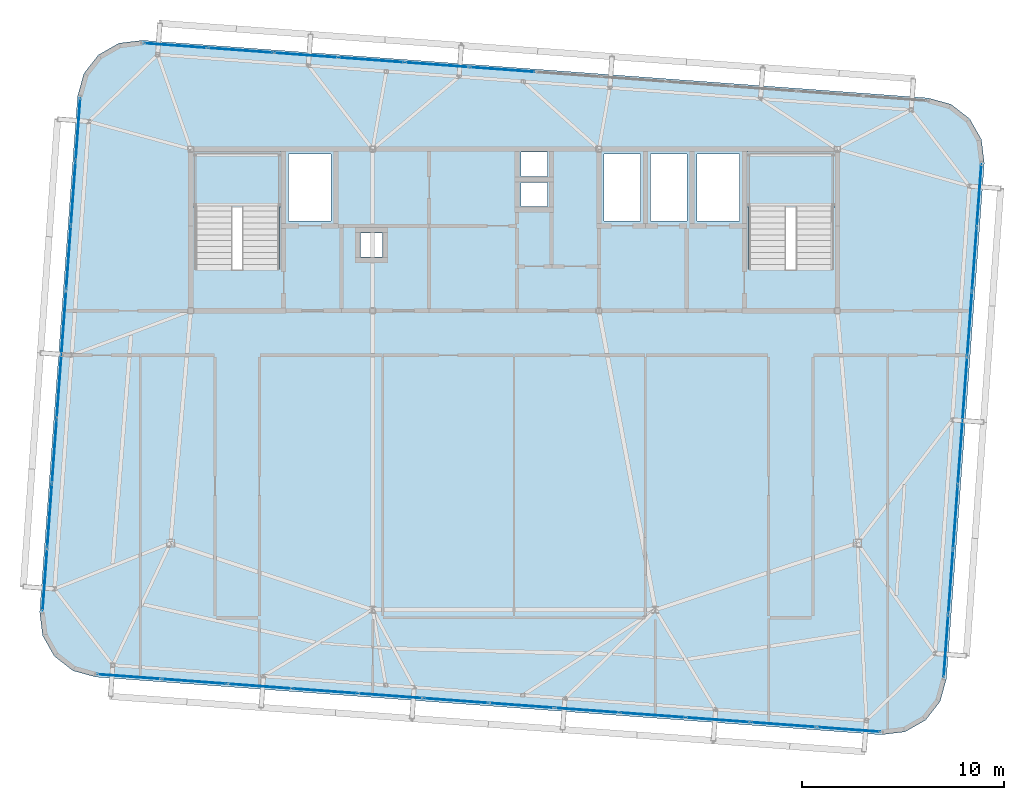
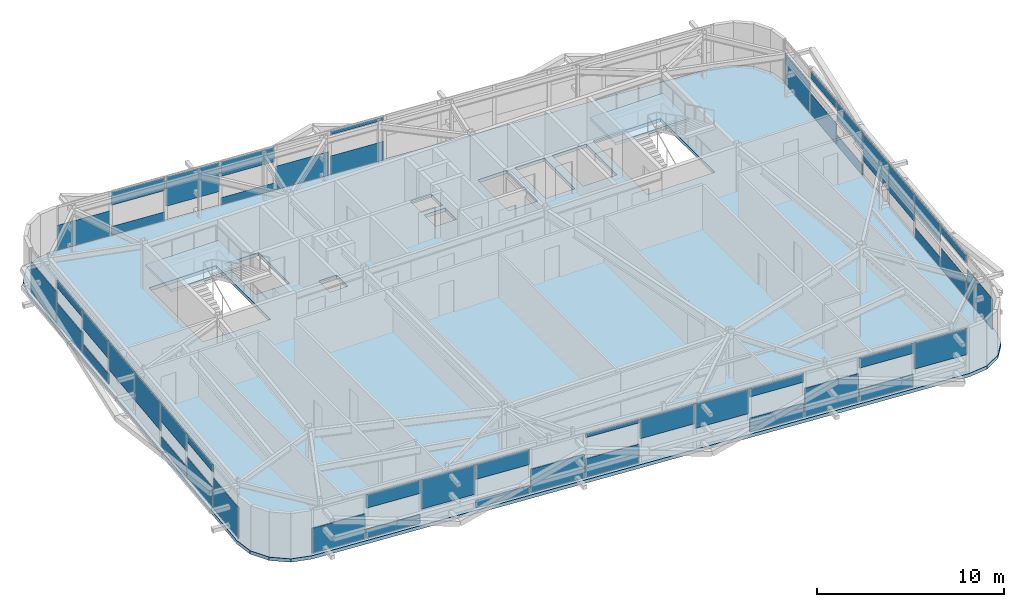
# One storey, part 29 of 42: 50 plates, 3 slabs, 6 elements without a shape of their own.
"""IFC4 building model written with IfcOpenShell, lengths in metres."""

from ifc_helpers import new_model, si_unit, direction, frame, origin, origin_2d, place, context, subcontext, project, spatial, polyline, rectangle, outline, extrude, source, transform, mapped, material, layer, layer_set, type_object, element, aggregate, save


model = new_model("IFC4")

# Units and contexts
model_context = context("Model", 3, precision=1e-05, world=origin(), true_north=direction((0.0, 1.0)))
body_context = subcontext(model_context, "Body", "Model", "MODEL_VIEW")
ifc_project = project(units=[si_unit("LENGTHUNIT", "METRE"), si_unit("AREAUNIT", "SQUARE_METRE"), si_unit("VOLUMEUNIT", "CUBIC_METRE"), si_unit("PLANEANGLEUNIT", "RADIAN"), si_unit("MASSUNIT", "GRAM", prefix="KILO")], contexts=[model_context])

# Site, building, storey
site_placement = place(None, origin())
site = spatial("IfcSite", under=ifc_project, at=site_placement, CompositionType="ELEMENT")
building_placement = place(site_placement, origin())
building = spatial("IfcBuilding", under=site, at=building_placement, Name="Taldren Reach Tower", CompositionType="ELEMENT")
storey_placement = place(building_placement, frame((0.0, 0.0, 214.550048828125)))
storey = spatial("IfcBuildingStorey", under=building, at=storey_placement, Name="L65", CompositionType="ELEMENT", Elevation=214.550048828125)

# Slab
ifc_material_1 = material(Name="Concrete N40 (40 MPa)", Category="concrete")
ifc_layer_1 = layer(ifc_material_1, 0.219970703125)
ifc_layer_set_1 = layer_set([ifc_layer_1], Name="Concrete N40 (40 MPa)")
slab_type_1 = type_object("IfcSlabType", Name="SL-FLR-220", PredefinedType="FLOOR", material=ifc_layer_set_1)
slab_1_placement = place(storey_placement, frame((0.0, 0.0, -0.219970703125)))
element("IfcSlab", 1, at=slab_1_placement, inside=storey, type_object=slab_type_1, Name="Suspended floor slab L65", PredefinedType="FLOOR", context=body_context, shape_type="SweptSolid", body=[
    extrude(outline(polyline([(53.1904296875, 3.014404296875), (54.35205078125, 3.157958984375), (55.370361328125, 3.7353515625), (56.09033203125, 4.658203125), (56.402099609375, 5.78662109375), (58.277099609375, 31.31787109375), (58.13330078125, 32.4794921875), (57.55615234375, 33.497802734375), (56.633056640625, 34.217529296875), (55.5048828125, 34.529541015625), (16.609619140625, 37.3857421875), (15.44775390625, 37.241943359375), (14.429443359375, 36.664794921875), (13.709716796875, 35.74169921875), (13.39794921875, 34.613525390625), (11.52294921875, 9.082275390625), (11.666748046875, 7.920654296875), (12.243896484375, 6.90234375), (13.1669921875, 6.182373046875), (14.295166015625, 5.87060546875), (53.1904296875, 3.014404296875)]), holes=[polyline([(19.219970703125, 26.050048828125), (23.3798828125, 26.050048828125), (23.3798828125, 31.820068359375), (19.219970703125, 31.820068359375), (19.219970703125, 26.050048828125)]), polyline([(46.6201171875, 26.050048828125), (50.780029296875, 26.050048828125), (50.780029296875, 31.820068359375), (46.6201171875, 31.820068359375), (46.6201171875, 26.050048828125)]), polyline([(23.85009765625, 28.449951171875), (25.949951171875, 28.449951171875), (25.949951171875, 31.75), (23.85009765625, 31.75), (23.85009765625, 28.449951171875)]), polyline([(44.050048828125, 28.449951171875), (46.14990234375, 28.449951171875), (46.14990234375, 31.75), (44.050048828125, 31.75), (44.050048828125, 28.449951171875)]), polyline([(39.449951171875, 28.449951171875), (41.25, 28.449951171875), (41.25, 31.75), (39.449951171875, 31.75), (39.449951171875, 28.449951171875)]), polyline([(41.75, 28.449951171875), (43.550048828125, 28.449951171875), (43.550048828125, 31.75), (41.75, 31.75), (41.75, 28.449951171875)]), polyline([(35.35009765625, 30.64990234375), (36.64990234375, 30.64990234375), (36.64990234375, 31.85009765625), (35.35009765625, 31.85009765625), (35.35009765625, 30.64990234375)]), polyline([(35.35009765625, 29.14990234375), (36.64990234375, 29.14990234375), (36.64990234375, 30.35009765625), (35.35009765625, 30.35009765625), (35.35009765625, 29.14990234375)]), polyline([(27.39990234375, 26.64990234375), (28.5, 26.64990234375), (28.5, 27.85009765625), (27.39990234375, 27.85009765625), (27.39990234375, 26.64990234375)])]), origin(), (0.0, 0.0, 1.0), 0.219970703125),
])

# Stair, slab
ifc_material_2 = material(Name="Concrete S50 (50 MPa)", Category="concrete")
stair_type = type_object("IfcStairType", Name="ST-HT-315", PredefinedType="HALF_TURN_STAIR", material=ifc_material_2)
stair_1_placement = place(storey_placement, origin())
stair_1 = element("IfcStair", 2, at=stair_1_placement, inside=storey, type_object=stair_type, Name="Fire-isolated exit stair ST1 L65", PredefinedType="HALF_TURN_STAIR")
ifc_layer_2 = layer(ifc_material_2, 0.179931640625)
ifc_layer_set_2 = layer_set([ifc_layer_2], Name="Concrete S50 (50 MPa)")
slab_type_2 = type_object("IfcSlabType", Name="SL-LAND-180", PredefinedType="LANDING", material=ifc_layer_set_2)
slab_2_placement = place(storey_placement, frame((0.0, 0.0, 1.39501953125)))
slab_2 = element("IfcSlab", 3, at=slab_2_placement, type_object=slab_type_2, Name="ST1 landing 1", PredefinedType="LANDING", context=body_context, shape_type="SweptSolid", body=[
    extrude(outline(polyline([(19.0400390625, 29.135009765625), (23.56005859375, 29.135009765625), (23.56005859375, 31.8701171875), (19.0400390625, 31.8701171875), (19.0400390625, 29.135009765625)])), origin(), (0.0, 0.0, 1.0), 0.179931640625),
])
aggregate(stair_1, [slab_2])

stair_2_placement = place(storey_placement, origin())
stair_2 = element("IfcStair", 4, at=stair_2_placement, inside=storey, type_object=stair_type, Name="Fire-isolated exit stair ST2 L65", PredefinedType="HALF_TURN_STAIR")
slab_3_placement = place(storey_placement, frame((0.0, 0.0, 1.39501953125)))
slab_3 = element("IfcSlab", 5, at=slab_3_placement, type_object=slab_type_2, Name="ST2 landing 1", PredefinedType="LANDING", context=body_context, shape_type="SweptSolid", body=[
    extrude(outline(polyline([(46.43994140625, 29.135009765625), (50.9599609375, 29.135009765625), (50.9599609375, 31.8701171875), (46.43994140625, 31.8701171875), (46.43994140625, 29.135009765625)])), origin(), (0.0, 0.0, 1.0), 0.179931640625),
])
aggregate(stair_2, [slab_3])

# Curtain wall, plate
ifc_material_3 = material(Name="Aluminium and Low-E Glass Unitised System", Category="aluminium")
ifc_layer_3 = layer(ifc_material_3, 0.159912109375)
ifc_layer_set_3 = layer_set([ifc_layer_3], Name="Aluminium and Low-E Glass Unitised System")
curtain_wall_type = type_object("IfcCurtainWallType", Name="CW-SYS-6", PredefinedType="NOTDEFINED", material=ifc_layer_set_3)
curtain_wall_1_placement = place(storey_placement, origin())
curtain_wall_1 = element("IfcCurtainWall", 6, at=curtain_wall_1_placement, inside=storey, type_object=curtain_wall_type, Name="Unitised curtain wall CW-L65-S", PredefinedType="NOTDEFINED")
ifc_material_4 = material(Name="Acoustic Triple-Laminated IGU", Category="glass")
ifc_layer_4 = layer(ifc_material_4, 0.035888671875)
ifc_layer_set_4 = layer_set([ifc_layer_4], Name="Acoustic Triple-Laminated IGU")
plate_type = type_object("IfcPlateType", Name="CW-PNL-IGU36", PredefinedType="CURTAIN_PANEL", material=ifc_layer_set_4)
shared_shape_1 = source(origin(), body_context, "Body", "SweptSolid", [
    extrude(rectangle(XDim=3.137451171875, YDim=0.035888671875, at=origin_2d()), origin(), (0.0, 0.0, 1.0), 1.63037109375),
])
plate_1_placement = place(storey_placement, frame((15.94482421875, 5.889892578125, 0.06005859375), z_axis=(0.0, 0.0, 1.0), x_axis=(0.997314476006, -0.073238213716, 0.0)))
plate_1 = element("IfcPlate", 7, at=plate_1_placement, type_object=plate_type, Name="CW-6 panel 1.1 part 1", PredefinedType="CURTAIN_PANEL", context=body_context, shape_type="MappedRepresentation", body=[
    mapped(shared_shape_1, transform((0.0, 0.0, 0.0), scale=1.0)),
])

curtain_wall_2_placement = place(storey_placement, origin())
curtain_wall_2 = element("IfcCurtainWall", 8, at=curtain_wall_2_placement, inside=storey, type_object=curtain_wall_type, Name="Unitised curtain wall CW-L65-N", PredefinedType="NOTDEFINED")
plate_2_placement = place(storey_placement, frame((18.238525390625, 37.125732421875, 0.06005859375), z_axis=(0.0, 0.0, 1.0), x_axis=(-0.997314476006, 0.073238213716, 0.0)))
plate_2 = element("IfcPlate", 9, at=plate_2_placement, type_object=plate_type, Name="CW-6 panel 12.1 part 1", PredefinedType="CURTAIN_PANEL", context=body_context, shape_type="MappedRepresentation", body=[
    mapped(shared_shape_1, transform((0.0, 0.0, 0.0), scale=1.0)),
])

# Plate
shared_shape_2 = source(origin(), body_context, "Body", "SweptSolid", [
    extrude(rectangle(XDim=3.175048828125, YDim=0.035888671875, at=origin_2d()), origin(), (0.0, 0.0, 1.0), 0.574462890625),
])
plate_3_placement = place(storey_placement, frame((19.16748046875, 5.653076171875, 0.06005859375), z_axis=(0.0, 0.0, 1.0), x_axis=(0.997314476006, -0.073238213716, 0.0)))
plate_3 = element("IfcPlate", 10, at=plate_3_placement, type_object=plate_type, Name="CW-6 panel 2.1 part 1", PredefinedType="CURTAIN_PANEL", context=body_context, shape_type="MappedRepresentation", body=[
    mapped(shared_shape_2, transform((0.0, 0.0, 0.0), scale=1.0)),
])

plate_4_placement = place(storey_placement, frame((21.461181640625, 36.88916015625, 0.06005859375), z_axis=(0.0, 0.0, 1.0), x_axis=(-0.997314476006, 0.073238213716, 0.0)))
plate_4 = element("IfcPlate", 11, at=plate_4_placement, type_object=plate_type, Name="CW-6 panel 11.1 part 1", PredefinedType="CURTAIN_PANEL", context=body_context, shape_type="MappedRepresentation", body=[
    mapped(shared_shape_2, transform((0.0, 0.0, 0.0), scale=1.0)),
])

shared_shape_3 = source(origin(), body_context, "Body", "SweptSolid", [
    extrude(rectangle(XDim=3.175048828125, YDim=0.035888671875, at=origin_2d()), origin(), (0.0, 0.0, 1.0), 0.852294921875),
])
plate_5_placement = place(storey_placement, frame((19.16748046875, 5.653076171875, 2.017578125), z_axis=(0.0, 0.0, 1.0), x_axis=(0.997314476006, -0.073238213716, 0.0)))
plate_5 = element("IfcPlate", 12, at=plate_5_placement, type_object=plate_type, Name="CW-6 panel 2.1 part 2", PredefinedType="CURTAIN_PANEL", context=body_context, shape_type="MappedRepresentation", body=[
    mapped(shared_shape_3, transform((0.0, 0.0, 0.0), scale=1.0)),
])

plate_6_placement = place(storey_placement, frame((21.461181640625, 36.88916015625, 2.017578125), z_axis=(0.0, 0.0, 1.0), x_axis=(-0.997314476006, 0.073238213716, 0.0)))
plate_6 = element("IfcPlate", 13, at=plate_6_placement, type_object=plate_type, Name="CW-6 panel 11.1 part 2", PredefinedType="CURTAIN_PANEL", context=body_context, shape_type="MappedRepresentation", body=[
    mapped(shared_shape_3, transform((0.0, 0.0, 0.0), scale=1.0)),
])

shared_shape_4 = source(origin(), body_context, "Body", "SweptSolid", [
    extrude(rectangle(XDim=3.175048828125, YDim=0.035888671875, at=origin_2d()), origin(), (0.0, 0.0, 1.0), 1.907958984375),
])
plate_7_placement = place(storey_placement, frame((22.40869140625, 5.4150390625, 0.9619140625), z_axis=(0.0, 0.0, 1.0), x_axis=(0.997314476006, -0.073238213716, 0.0)))
plate_7 = element("IfcPlate", 14, at=plate_7_placement, type_object=plate_type, Name="CW-6 panel 3.1 part 1", PredefinedType="CURTAIN_PANEL", context=body_context, shape_type="MappedRepresentation", body=[
    mapped(shared_shape_4, transform((0.0, 0.0, 0.0), scale=1.0)),
])

plate_8_placement = place(storey_placement, frame((24.702392578125, 36.651123046875, 0.9619140625), z_axis=(0.0, 0.0, 1.0), x_axis=(-0.997314476006, 0.073238213716, 0.0)))
plate_8 = element("IfcPlate", 15, at=plate_8_placement, type_object=plate_type, Name="CW-6 panel 10.1 part 1", PredefinedType="CURTAIN_PANEL", context=body_context, shape_type="MappedRepresentation", body=[
    mapped(shared_shape_4, transform((0.0, 0.0, 0.0), scale=1.0)),
])

shared_shape_5 = source(origin(), body_context, "Body", "SweptSolid", [
    extrude(rectangle(XDim=3.175048828125, YDim=0.035888671875, at=origin_2d()), origin(), (0.0, 0.0, 1.0), 0.473876953125),
])
plate_9_placement = place(storey_placement, frame((25.64990234375, 5.177001953125, 0.06005859375), z_axis=(0.0, 0.0, 1.0), x_axis=(0.997314476006, -0.073238213716, 0.0)))
plate_9 = element("IfcPlate", 16, at=plate_9_placement, type_object=plate_type, Name="CW-6 panel 4.1 part 1", PredefinedType="CURTAIN_PANEL", context=body_context, shape_type="MappedRepresentation", body=[
    mapped(shared_shape_5, transform((0.0, 0.0, 0.0), scale=1.0)),
])

plate_10_placement = place(storey_placement, frame((27.94384765625, 36.4130859375, 0.06005859375), z_axis=(0.0, 0.0, 1.0), x_axis=(-0.997314476006, 0.073238213716, 0.0)))
plate_10 = element("IfcPlate", 17, at=plate_10_placement, type_object=plate_type, Name="CW-6 panel 9.1 part 1", PredefinedType="CURTAIN_PANEL", context=body_context, shape_type="MappedRepresentation", body=[
    mapped(shared_shape_5, transform((0.0, 0.0, 0.0), scale=1.0)),
])

shared_shape_6 = source(origin(), body_context, "Body", "SweptSolid", [
    extrude(rectangle(XDim=3.175048828125, YDim=0.035888671875, at=origin_2d()), origin(), (0.0, 0.0, 1.0), 0.952880859375),
])
plate_11_placement = place(storey_placement, frame((25.64990234375, 5.177001953125, 1.9169921875), z_axis=(0.0, 0.0, 1.0), x_axis=(0.997314476006, -0.073238213716, 0.0)))
plate_11 = element("IfcPlate", 18, at=plate_11_placement, type_object=plate_type, Name="CW-6 panel 4.1 part 2", PredefinedType="CURTAIN_PANEL", context=body_context, shape_type="MappedRepresentation", body=[
    mapped(shared_shape_6, transform((0.0, 0.0, 0.0), scale=1.0)),
])

plate_12_placement = place(storey_placement, frame((27.94384765625, 36.4130859375, 1.9169921875), z_axis=(0.0, 0.0, 1.0), x_axis=(-0.997314476006, 0.073238213716, 0.0)))
plate_12 = element("IfcPlate", 19, at=plate_12_placement, type_object=plate_type, Name="CW-6 panel 9.1 part 2", PredefinedType="CURTAIN_PANEL", context=body_context, shape_type="MappedRepresentation", body=[
    mapped(shared_shape_6, transform((0.0, 0.0, 0.0), scale=1.0)),
])

shared_shape_7 = source(origin(), body_context, "Body", "SweptSolid", [
    extrude(rectangle(XDim=3.175048828125, YDim=0.035888671875, at=origin_2d()), origin(), (0.0, 0.0, 1.0), 1.52978515625),
])
plate_13_placement = place(storey_placement, frame((28.89111328125, 4.939208984375, 0.059814453125), z_axis=(0.0, 0.0, 1.0), x_axis=(0.997314476006, -0.073238213716, 0.0)))
plate_13 = element("IfcPlate", 20, at=plate_13_placement, type_object=plate_type, Name="CW-6 panel 5.1 part 1", PredefinedType="CURTAIN_PANEL", context=body_context, shape_type="MappedRepresentation", body=[
    mapped(shared_shape_7, transform((0.0, 0.0, 0.0), scale=1.0)),
])

plate_14_placement = place(storey_placement, frame((31.18505859375, 36.175048828125, 0.059814453125), z_axis=(0.0, 0.0, 1.0), x_axis=(-0.997314476006, 0.073238213716, 0.0)))
plate_14 = element("IfcPlate", 21, at=plate_14_placement, type_object=plate_type, Name="CW-6 panel 8.1 part 1", PredefinedType="CURTAIN_PANEL", context=body_context, shape_type="MappedRepresentation", body=[
    mapped(shared_shape_7, transform((0.0, 0.0, 0.0), scale=1.0)),
])

shared_shape_8 = source(origin(), body_context, "Body", "SweptSolid", [
    extrude(rectangle(XDim=3.175048828125, YDim=0.035888671875, at=origin_2d()), origin(), (0.0, 0.0, 1.0), 1.21142578125),
])
plate_15_placement = place(storey_placement, frame((32.132568359375, 4.701171875, 0.059814453125), z_axis=(0.0, 0.0, 1.0), x_axis=(0.997314476006, -0.073238213716, 0.0)))
plate_15 = element("IfcPlate", 22, at=plate_15_placement, type_object=plate_type, Name="CW-6 panel 6.1 part 1", PredefinedType="CURTAIN_PANEL", context=body_context, shape_type="MappedRepresentation", body=[
    mapped(shared_shape_8, transform((0.0, 0.0, 0.0), scale=1.0)),
])

plate_16_placement = place(storey_placement, frame((34.42626953125, 35.93701171875, 0.059814453125), z_axis=(0.0, 0.0, 1.0), x_axis=(-0.997314476006, 0.073238213716, 0.0)))
plate_16 = element("IfcPlate", 23, at=plate_16_placement, type_object=plate_type, Name="CW-6 panel 7.1 part 1", PredefinedType="CURTAIN_PANEL", context=body_context, shape_type="MappedRepresentation", body=[
    mapped(shared_shape_8, transform((0.0, 0.0, 0.0), scale=1.0)),
])

shared_shape_9 = source(origin(), body_context, "Body", "SweptSolid", [
    extrude(rectangle(XDim=3.175048828125, YDim=0.035888671875, at=origin_2d()), origin(), (0.0, 0.0, 1.0), 0.215576171875),
])
plate_17_placement = place(storey_placement, frame((32.132568359375, 4.701171875, 2.654296875), z_axis=(0.0, 0.0, 1.0), x_axis=(0.997314476006, -0.073238213716, 0.0)))
plate_17 = element("IfcPlate", 24, at=plate_17_placement, type_object=plate_type, Name="CW-6 panel 6.1 part 2", PredefinedType="CURTAIN_PANEL", context=body_context, shape_type="MappedRepresentation", body=[
    mapped(shared_shape_9, transform((0.0, 0.0, 0.0), scale=1.0)),
])

plate_18_placement = place(storey_placement, frame((34.42626953125, 35.93701171875, 2.654296875), z_axis=(0.0, 0.0, 1.0), x_axis=(-0.997314476006, 0.073238213716, 0.0)))
plate_18 = element("IfcPlate", 25, at=plate_18_placement, type_object=plate_type, Name="CW-6 panel 7.1 part 2", PredefinedType="CURTAIN_PANEL", context=body_context, shape_type="MappedRepresentation", body=[
    mapped(shared_shape_9, transform((0.0, 0.0, 0.0), scale=1.0)),
])

aggregate(curtain_wall_2, [plate_16, plate_18, plate_14, plate_10, plate_12, plate_8, plate_4, plate_6, plate_2])

shared_shape_10 = source(origin(), body_context, "Body", "SweptSolid", [
    extrude(rectangle(XDim=3.175048828125, YDim=0.035888671875, at=origin_2d()), origin(), (0.0, 0.0, 1.0), 1.271240234375),
])
plate_19_placement = place(storey_placement, frame((35.373779296875, 4.463134765625, 1.5986328125), z_axis=(0.0, 0.0, 1.0), x_axis=(0.997314476006, -0.073238213716, 0.0)))
plate_19 = element("IfcPlate", 26, at=plate_19_placement, type_object=plate_type, Name="CW-6 panel 7.1 part 1", PredefinedType="CURTAIN_PANEL", context=body_context, shape_type="MappedRepresentation", body=[
    mapped(shared_shape_10, transform((0.0, 0.0, 0.0), scale=1.0)),
])

shared_shape_11 = source(origin(), body_context, "Body", "SweptSolid", [
    extrude(rectangle(XDim=3.175048828125, YDim=0.035888671875, at=origin_2d()), origin(), (0.0, 0.0, 1.0), 1.589599609375),
])
plate_20_placement = place(storey_placement, frame((38.614990234375, 4.22509765625, 1.2802734375), z_axis=(0.0, 0.0, 1.0), x_axis=(0.997314476006, -0.073238213716, 0.0)))
plate_20 = element("IfcPlate", 27, at=plate_20_placement, type_object=plate_type, Name="CW-6 panel 8.1 part 1", PredefinedType="CURTAIN_PANEL", context=body_context, shape_type="MappedRepresentation", body=[
    mapped(shared_shape_11, transform((0.0, 0.0, 0.0), scale=1.0)),
])

shared_shape_12 = source(origin(), body_context, "Body", "SweptSolid", [
    extrude(rectangle(XDim=3.175048828125, YDim=0.035888671875, at=origin_2d()), origin(), (0.0, 0.0, 1.0), 0.89306640625),
])
plate_21_placement = place(storey_placement, frame((41.856201171875, 3.987060546875, 0.059814453125), z_axis=(0.0, 0.0, 1.0), x_axis=(0.997314476006, -0.073238213716, 0.0)))
plate_21 = element("IfcPlate", 28, at=plate_21_placement, type_object=plate_type, Name="CW-6 panel 9.1 part 1", PredefinedType="CURTAIN_PANEL", context=body_context, shape_type="MappedRepresentation", body=[
    mapped(shared_shape_12, transform((0.0, 0.0, 0.0), scale=1.0)),
])

shared_shape_13 = source(origin(), body_context, "Body", "SweptSolid", [
    extrude(rectangle(XDim=3.175048828125, YDim=0.035888671875, at=origin_2d()), origin(), (0.0, 0.0, 1.0), 0.533935546875),
])
plate_22_placement = place(storey_placement, frame((41.856201171875, 3.987060546875, 2.3359375), z_axis=(0.0, 0.0, 1.0), x_axis=(0.997314476006, -0.073238213716, 0.0)))
plate_22 = element("IfcPlate", 29, at=plate_22_placement, type_object=plate_type, Name="CW-6 panel 9.1 part 2", PredefinedType="CURTAIN_PANEL", context=body_context, shape_type="MappedRepresentation", body=[
    mapped(shared_shape_13, transform((0.0, 0.0, 0.0), scale=1.0)),
])

shared_shape_14 = source(origin(), body_context, "Body", "SweptSolid", [
    extrude(rectangle(XDim=3.175048828125, YDim=0.035888671875, at=origin_2d()), origin(), (0.0, 0.0, 1.0), 1.84814453125),
])
plate_23_placement = place(storey_placement, frame((45.09765625, 3.7490234375, 0.059814453125), z_axis=(0.0, 0.0, 1.0), x_axis=(0.997314476006, -0.073238213716, 0.0)))
plate_23 = element("IfcPlate", 30, at=plate_23_placement, type_object=plate_type, Name="CW-6 panel 10.1 part 1", PredefinedType="CURTAIN_PANEL", context=body_context, shape_type="MappedRepresentation", body=[
    mapped(shared_shape_14, transform((0.0, 0.0, 0.0), scale=1.0)),
])

shared_shape_15 = source(origin(), body_context, "Body", "SweptSolid", [
    extrude(rectangle(XDim=3.175048828125, YDim=0.035888671875, at=origin_2d()), origin(), (0.0, 0.0, 1.0), 0.792236328125),
])
plate_24_placement = place(storey_placement, frame((48.3388671875, 3.510986328125, 0.06005859375), z_axis=(0.0, 0.0, 1.0), x_axis=(0.997314476006, -0.073238213716, 0.0)))
plate_24 = element("IfcPlate", 31, at=plate_24_placement, type_object=plate_type, Name="CW-6 panel 11.1 part 1", PredefinedType="CURTAIN_PANEL", context=body_context, shape_type="MappedRepresentation", body=[
    mapped(shared_shape_15, transform((0.0, 0.0, 0.0), scale=1.0)),
])

shared_shape_16 = source(origin(), body_context, "Body", "SweptSolid", [
    extrude(rectangle(XDim=3.175048828125, YDim=0.035888671875, at=origin_2d()), origin(), (0.0, 0.0, 1.0), 0.634521484375),
])
plate_25_placement = place(storey_placement, frame((48.3388671875, 3.510986328125, 2.2353515625), z_axis=(0.0, 0.0, 1.0), x_axis=(0.997314476006, -0.073238213716, 0.0)))
plate_25 = element("IfcPlate", 32, at=plate_25_placement, type_object=plate_type, Name="CW-6 panel 11.1 part 2", PredefinedType="CURTAIN_PANEL", context=body_context, shape_type="MappedRepresentation", body=[
    mapped(shared_shape_16, transform((0.0, 0.0, 0.0), scale=1.0)),
])

shared_shape_17 = source(origin(), body_context, "Body", "SweptSolid", [
    extrude(rectangle(XDim=3.137451171875, YDim=0.035888671875, at=origin_2d()), origin(), (0.0, 0.0, 1.0), 1.6904296875),
])
plate_26_placement = place(storey_placement, frame((51.561279296875, 3.2744140625, 1.179443359375), z_axis=(0.0, 0.0, 1.0), x_axis=(0.997314476006, -0.073238213716, 0.0)))
plate_26 = element("IfcPlate", 33, at=plate_26_placement, type_object=plate_type, Name="CW-6 panel 12.1 part 1", PredefinedType="CURTAIN_PANEL", context=body_context, shape_type="MappedRepresentation", body=[
    mapped(shared_shape_17, transform((0.0, 0.0, 0.0), scale=1.0)),
])

aggregate(curtain_wall_1, [plate_1, plate_3, plate_5, plate_7, plate_9, plate_11, plate_13, plate_15, plate_17, plate_19, plate_20, plate_21, plate_22, plate_23, plate_24, plate_25, plate_26])

# Curtain wall, plates
curtain_wall_3_placement = place(storey_placement, origin())
curtain_wall_3 = element("IfcCurtainWall", 34, at=curtain_wall_3_placement, inside=storey, type_object=curtain_wall_type, Name="Unitised curtain wall CW-L65-W", PredefinedType="NOTDEFINED")
shared_shape_18 = source(origin(), body_context, "Body", "SweptSolid", [
    extrude(rectangle(XDim=3.08740234375, YDim=0.035888671875, at=origin_2d()), origin(), (0.0, 0.0, 1.0), 2.0078125),
])
plate_27_placement = place(storey_placement, frame((13.4189453125, 32.98876953125, 0.06005859375), z_axis=(0.0, 0.0, 1.0), x_axis=(-0.073238282558, -0.997314470951, 0.0)))
plate_27 = element("IfcPlate", 35, at=plate_27_placement, type_object=plate_type, Name="CW-6 panel 1.1 part 1", PredefinedType="CURTAIN_PANEL", context=body_context, shape_type="MappedRepresentation", body=[
    mapped(shared_shape_18, transform((0.0, 0.0, 0.0), scale=1.0)),
])
plate_28_placement = place(storey_placement, frame((11.78125, 10.686279296875, 0.06005859375), z_axis=(0.0, 0.0, 1.0), x_axis=(-0.073238282558, -0.997314470951, 0.0)))
plate_28 = element("IfcPlate", 36, at=plate_28_placement, type_object=plate_type, Name="CW-6 panel 8.1 part 1", PredefinedType="CURTAIN_PANEL", context=body_context, shape_type="MappedRepresentation", body=[
    mapped(shared_shape_18, transform((0.0, 0.0, 0.0), scale=1.0)),
])

curtain_wall_4_placement = place(storey_placement, origin())
curtain_wall_4 = element("IfcCurtainWall", 37, at=curtain_wall_4_placement, inside=storey, type_object=curtain_wall_type, Name="Unitised curtain wall CW-L65-E", PredefinedType="NOTDEFINED")
plate_29_placement = place(storey_placement, frame((56.381103515625, 7.4111328125, 0.06005859375), z_axis=(0.0, 0.0, 1.0), x_axis=(0.073238282558, 0.997314470951, 0.0)))
plate_29 = element("IfcPlate", 38, at=plate_29_placement, type_object=plate_type, Name="CW-6 panel 1.1 part 1", PredefinedType="CURTAIN_PANEL", context=body_context, shape_type="MappedRepresentation", body=[
    mapped(shared_shape_18, transform((0.0, 0.0, 0.0), scale=1.0)),
])
plate_30_placement = place(storey_placement, frame((58.018798828125, 29.713623046875, 0.06005859375), z_axis=(0.0, 0.0, 1.0), x_axis=(0.073238282558, 0.997314470951, 0.0)))
plate_30 = element("IfcPlate", 39, at=plate_30_placement, type_object=plate_type, Name="CW-6 panel 8.1 part 1", PredefinedType="CURTAIN_PANEL", context=body_context, shape_type="MappedRepresentation", body=[
    mapped(shared_shape_18, transform((0.0, 0.0, 0.0), scale=1.0)),
])

# Plate
shared_shape_19 = source(origin(), body_context, "Body", "SweptSolid", [
    extrude(rectangle(XDim=3.125, YDim=0.035888671875, at=origin_2d()), origin(), (0.0, 0.0, 1.0), 1.33740234375),
])
plate_31_placement = place(storey_placement, frame((13.18603515625, 29.816162109375, 0.06005859375), z_axis=(0.0, 0.0, 1.0), x_axis=(-0.073238282558, -0.997314470951, 0.0)))
plate_31 = element("IfcPlate", 40, at=plate_31_placement, type_object=plate_type, Name="CW-6 panel 2.1 part 1", PredefinedType="CURTAIN_PANEL", context=body_context, shape_type="MappedRepresentation", body=[
    mapped(shared_shape_19, transform((0.0, 0.0, 0.0), scale=1.0)),
])

plate_32_placement = place(storey_placement, frame((12.01416015625, 13.859130859375, 0.06005859375), z_axis=(0.0, 0.0, 1.0), x_axis=(-0.073238282558, -0.997314470951, 0.0)))
plate_32 = element("IfcPlate", 41, at=plate_32_placement, type_object=plate_type, Name="CW-6 panel 7.1 part 1", PredefinedType="CURTAIN_PANEL", context=body_context, shape_type="MappedRepresentation", body=[
    mapped(shared_shape_19, transform((0.0, 0.0, 0.0), scale=1.0)),
])

plate_33_placement = place(storey_placement, frame((56.614013671875, 10.583984375, 0.06005859375), z_axis=(0.0, 0.0, 1.0), x_axis=(0.073238282558, 0.997314470951, 0.0)))
plate_33 = element("IfcPlate", 42, at=plate_33_placement, type_object=plate_type, Name="CW-6 panel 2.1 part 1", PredefinedType="CURTAIN_PANEL", context=body_context, shape_type="MappedRepresentation", body=[
    mapped(shared_shape_19, transform((0.0, 0.0, 0.0), scale=1.0)),
])

plate_34_placement = place(storey_placement, frame((57.785888671875, 26.541015625, 0.06005859375), z_axis=(0.0, 0.0, 1.0), x_axis=(0.073238282558, 0.997314470951, 0.0)))
plate_34 = element("IfcPlate", 43, at=plate_34_placement, type_object=plate_type, Name="CW-6 panel 7.1 part 1", PredefinedType="CURTAIN_PANEL", context=body_context, shape_type="MappedRepresentation", body=[
    mapped(shared_shape_19, transform((0.0, 0.0, 0.0), scale=1.0)),
])

shared_shape_20 = source(origin(), body_context, "Body", "SweptSolid", [
    extrude(rectangle(XDim=3.125, YDim=0.035888671875, at=origin_2d()), origin(), (0.0, 0.0, 1.0), 0.475830078125),
])
plate_35_placement = place(storey_placement, frame((13.18603515625, 29.816162109375, 2.39404296875), z_axis=(0.0, 0.0, 1.0), x_axis=(-0.073238282558, -0.997314470951, 0.0)))
plate_35 = element("IfcPlate", 44, at=plate_35_placement, type_object=plate_type, Name="CW-6 panel 2.1 part 2", PredefinedType="CURTAIN_PANEL", context=body_context, shape_type="MappedRepresentation", body=[
    mapped(shared_shape_20, transform((0.0, 0.0, 0.0), scale=1.0)),
])

plate_36_placement = place(storey_placement, frame((12.01416015625, 13.859130859375, 2.39404296875), z_axis=(0.0, 0.0, 1.0), x_axis=(-0.073238282558, -0.997314470951, 0.0)))
plate_36 = element("IfcPlate", 45, at=plate_36_placement, type_object=plate_type, Name="CW-6 panel 7.1 part 2", PredefinedType="CURTAIN_PANEL", context=body_context, shape_type="MappedRepresentation", body=[
    mapped(shared_shape_20, transform((0.0, 0.0, 0.0), scale=1.0)),
])

plate_37_placement = place(storey_placement, frame((56.614013671875, 10.583984375, 2.39404296875), z_axis=(0.0, 0.0, 1.0), x_axis=(0.073238282558, 0.997314470951, 0.0)))
plate_37 = element("IfcPlate", 46, at=plate_37_placement, type_object=plate_type, Name="CW-6 panel 2.1 part 2", PredefinedType="CURTAIN_PANEL", context=body_context, shape_type="MappedRepresentation", body=[
    mapped(shared_shape_20, transform((0.0, 0.0, 0.0), scale=1.0)),
])

plate_38_placement = place(storey_placement, frame((57.785888671875, 26.541015625, 2.39404296875), z_axis=(0.0, 0.0, 1.0), x_axis=(0.073238282558, 0.997314470951, 0.0)))
plate_38 = element("IfcPlate", 47, at=plate_38_placement, type_object=plate_type, Name="CW-6 panel 7.1 part 2", PredefinedType="CURTAIN_PANEL", context=body_context, shape_type="MappedRepresentation", body=[
    mapped(shared_shape_20, transform((0.0, 0.0, 0.0), scale=1.0)),
])

shared_shape_21 = source(origin(), body_context, "Body", "SweptSolid", [
    extrude(rectangle(XDim=3.125, YDim=0.035888671875, at=origin_2d()), origin(), (0.0, 0.0, 1.0), 0.667236328125),
])
plate_39_placement = place(storey_placement, frame((12.95166015625, 26.624755859375, 0.06005859375), z_axis=(0.0, 0.0, 1.0), x_axis=(-0.073238282558, -0.997314470951, 0.0)))
plate_39 = element("IfcPlate", 48, at=plate_39_placement, type_object=plate_type, Name="CW-6 panel 3.1 part 1", PredefinedType="CURTAIN_PANEL", context=body_context, shape_type="MappedRepresentation", body=[
    mapped(shared_shape_21, transform((0.0, 0.0, 0.0), scale=1.0)),
])

plate_40_placement = place(storey_placement, frame((12.24853515625, 17.050537109375, 0.06005859375), z_axis=(0.0, 0.0, 1.0), x_axis=(-0.073238282558, -0.997314470951, 0.0)))
plate_40 = element("IfcPlate", 49, at=plate_40_placement, type_object=plate_type, Name="CW-6 panel 6.1 part 1", PredefinedType="CURTAIN_PANEL", context=body_context, shape_type="MappedRepresentation", body=[
    mapped(shared_shape_21, transform((0.0, 0.0, 0.0), scale=1.0)),
])

plate_41_placement = place(storey_placement, frame((56.848388671875, 13.775390625, 0.06005859375), z_axis=(0.0, 0.0, 1.0), x_axis=(0.073238282558, 0.997314470951, 0.0)))
plate_41 = element("IfcPlate", 50, at=plate_41_placement, type_object=plate_type, Name="CW-6 panel 3.1 part 1", PredefinedType="CURTAIN_PANEL", context=body_context, shape_type="MappedRepresentation", body=[
    mapped(shared_shape_21, transform((0.0, 0.0, 0.0), scale=1.0)),
])

plate_42_placement = place(storey_placement, frame((57.551513671875, 23.349609375, 0.06005859375), z_axis=(0.0, 0.0, 1.0), x_axis=(0.073238282558, 0.997314470951, 0.0)))
plate_42 = element("IfcPlate", 51, at=plate_42_placement, type_object=plate_type, Name="CW-6 panel 6.1 part 1", PredefinedType="CURTAIN_PANEL", context=body_context, shape_type="MappedRepresentation", body=[
    mapped(shared_shape_21, transform((0.0, 0.0, 0.0), scale=1.0)),
])

shared_shape_22 = source(origin(), body_context, "Body", "SweptSolid", [
    extrude(rectangle(XDim=3.125, YDim=0.035888671875, at=origin_2d()), origin(), (0.0, 0.0, 1.0), 1.146240234375),
])
plate_43_placement = place(storey_placement, frame((12.95166015625, 26.624755859375, 1.7236328125), z_axis=(0.0, 0.0, 1.0), x_axis=(-0.073238282558, -0.997314470951, 0.0)))
plate_43 = element("IfcPlate", 52, at=plate_43_placement, type_object=plate_type, Name="CW-6 panel 3.1 part 2", PredefinedType="CURTAIN_PANEL", context=body_context, shape_type="MappedRepresentation", body=[
    mapped(shared_shape_22, transform((0.0, 0.0, 0.0), scale=1.0)),
])

plate_44_placement = place(storey_placement, frame((12.24853515625, 17.050537109375, 1.7236328125), z_axis=(0.0, 0.0, 1.0), x_axis=(-0.073238282558, -0.997314470951, 0.0)))
plate_44 = element("IfcPlate", 53, at=plate_44_placement, type_object=plate_type, Name="CW-6 panel 6.1 part 2", PredefinedType="CURTAIN_PANEL", context=body_context, shape_type="MappedRepresentation", body=[
    mapped(shared_shape_22, transform((0.0, 0.0, 0.0), scale=1.0)),
])

plate_45_placement = place(storey_placement, frame((56.848388671875, 13.775390625, 1.7236328125), z_axis=(0.0, 0.0, 1.0), x_axis=(0.073238282558, 0.997314470951, 0.0)))
plate_45 = element("IfcPlate", 54, at=plate_45_placement, type_object=plate_type, Name="CW-6 panel 3.1 part 2", PredefinedType="CURTAIN_PANEL", context=body_context, shape_type="MappedRepresentation", body=[
    mapped(shared_shape_22, transform((0.0, 0.0, 0.0), scale=1.0)),
])

plate_46_placement = place(storey_placement, frame((57.551513671875, 23.349609375, 1.7236328125), z_axis=(0.0, 0.0, 1.0), x_axis=(0.073238282558, 0.997314470951, 0.0)))
plate_46 = element("IfcPlate", 55, at=plate_46_placement, type_object=plate_type, Name="CW-6 panel 6.1 part 2", PredefinedType="CURTAIN_PANEL", context=body_context, shape_type="MappedRepresentation", body=[
    mapped(shared_shape_22, transform((0.0, 0.0, 0.0), scale=1.0)),
])

shared_shape_23 = source(origin(), body_context, "Body", "SweptSolid", [
    extrude(rectangle(XDim=3.125, YDim=0.035888671875, at=origin_2d()), origin(), (0.0, 0.0, 1.0), 1.81640625),
])
plate_47_placement = place(storey_placement, frame((12.71728515625, 23.433349609375, 1.053466796875), z_axis=(0.0, 0.0, 1.0), x_axis=(-0.073238282558, -0.997314470951, 0.0)))
plate_47 = element("IfcPlate", 56, at=plate_47_placement, type_object=plate_type, Name="CW-6 panel 4.1 part 1", PredefinedType="CURTAIN_PANEL", context=body_context, shape_type="MappedRepresentation", body=[
    mapped(shared_shape_23, transform((0.0, 0.0, 0.0), scale=1.0)),
])

plate_48_placement = place(storey_placement, frame((12.48291015625, 20.241943359375, 1.053466796875), z_axis=(0.0, 0.0, 1.0), x_axis=(-0.073238282558, -0.997314470951, 0.0)))
plate_48 = element("IfcPlate", 57, at=plate_48_placement, type_object=plate_type, Name="CW-6 panel 5.1 part 1", PredefinedType="CURTAIN_PANEL", context=body_context, shape_type="MappedRepresentation", body=[
    mapped(shared_shape_23, transform((0.0, 0.0, 0.0), scale=1.0)),
])

aggregate(curtain_wall_3, [plate_27, plate_31, plate_35, plate_39, plate_43, plate_47, plate_48, plate_40, plate_44, plate_32, plate_36, plate_28])

plate_49_placement = place(storey_placement, frame((57.082763671875, 16.966796875, 1.053466796875), z_axis=(0.0, 0.0, 1.0), x_axis=(0.073238282558, 0.997314470951, 0.0)))
plate_49 = element("IfcPlate", 58, at=plate_49_placement, type_object=plate_type, Name="CW-6 panel 4.1 part 1", PredefinedType="CURTAIN_PANEL", context=body_context, shape_type="MappedRepresentation", body=[
    mapped(shared_shape_23, transform((0.0, 0.0, 0.0), scale=1.0)),
])

plate_50_placement = place(storey_placement, frame((57.317138671875, 20.158203125, 1.053466796875), z_axis=(0.0, 0.0, 1.0), x_axis=(0.073238282558, 0.997314470951, 0.0)))
plate_50 = element("IfcPlate", 59, at=plate_50_placement, type_object=plate_type, Name="CW-6 panel 5.1 part 1", PredefinedType="CURTAIN_PANEL", context=body_context, shape_type="MappedRepresentation", body=[
    mapped(shared_shape_23, transform((0.0, 0.0, 0.0), scale=1.0)),
])

aggregate(curtain_wall_4, [plate_29, plate_33, plate_37, plate_41, plate_45, plate_49, plate_50, plate_42, plate_46, plate_34, plate_38, plate_30])

save(model, "model.ifc")
